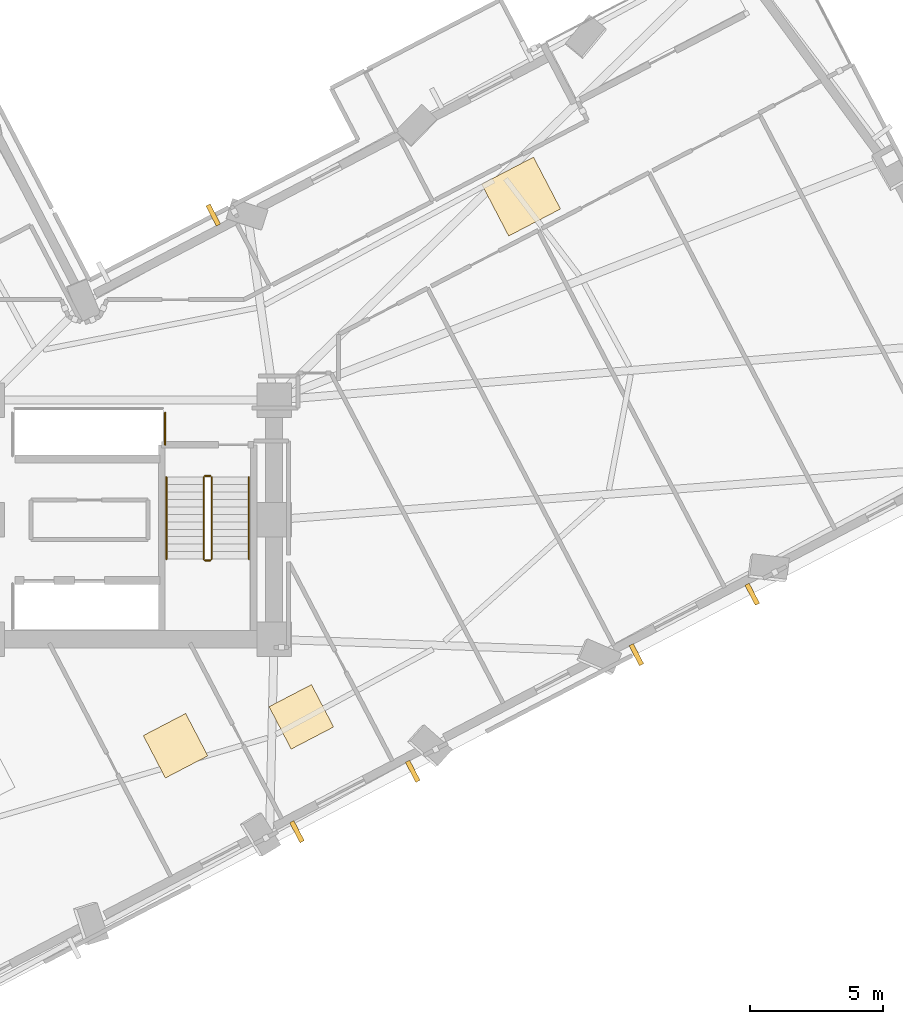
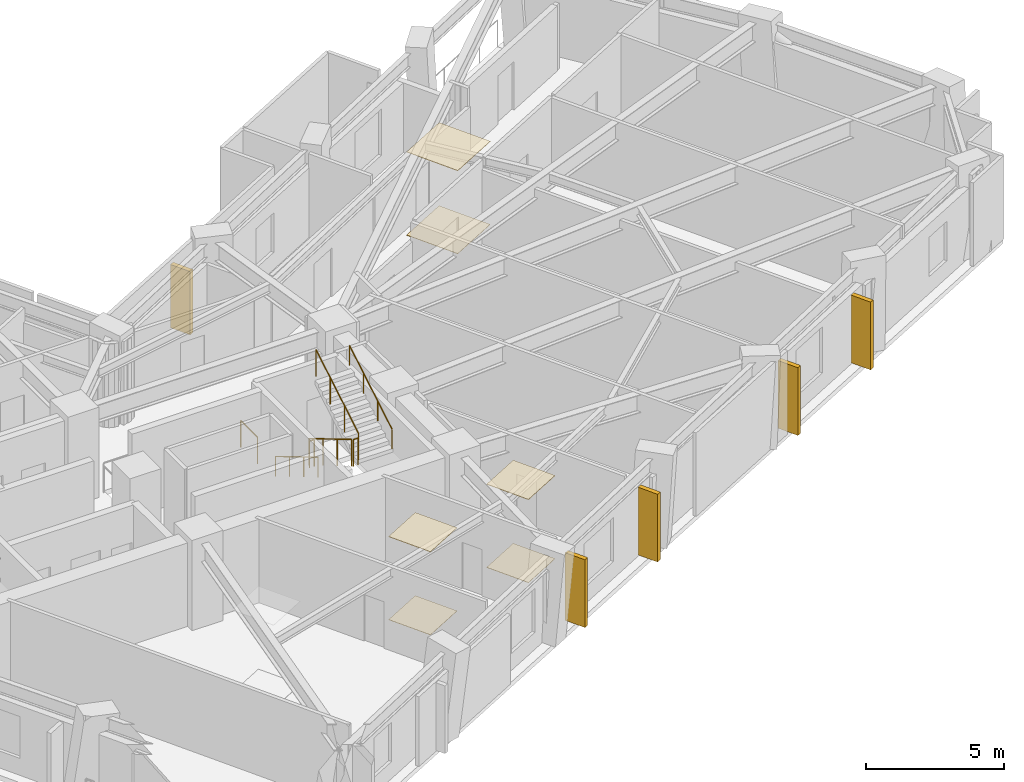
# One storey, part 14 of 16: 7 railings, 6 coverings, 5 shading devices.
"""IFC4 building model written with IfcOpenShell, lengths in metres."""

from ifc_helpers import new_model, si_unit, direction, frame, origin, origin_2d, place, context, subcontext, project, spatial, rectangle, circle, extrude, material, layer, layer_set, type_object, element, save


model = new_model("IFC4")

# Units and contexts
model_context = context("Model", 3, precision=1e-05, world=origin(), true_north=direction((0.0, 1.0)))
body_context = subcontext(model_context, "Body", "Model", "MODEL_VIEW")
ifc_project = project(units=[si_unit("LENGTHUNIT", "METRE"), si_unit("AREAUNIT", "SQUARE_METRE"), si_unit("VOLUMEUNIT", "CUBIC_METRE"), si_unit("PLANEANGLEUNIT", "RADIAN"), si_unit("MASSUNIT", "GRAM", prefix="KILO")], contexts=[model_context])

# Site, building, storey
site_placement = place(None, origin())
site = spatial("IfcSite", under=ifc_project, at=site_placement, CompositionType="ELEMENT")
building_placement = place(site_placement, origin())
building = spatial("IfcBuilding", under=site, at=building_placement, Name="Gaonmaruhae Medical Tower", CompositionType="ELEMENT")
storey_placement = place(building_placement, frame((0.0, 0.0, 140.39990234375)))
storey = spatial("IfcBuildingStorey", under=building, at=storey_placement, Name="L33", CompositionType="ELEMENT", Elevation=140.39990234375)

# Coverings
ifc_material_1 = material(Name="Acoustic mineral ceiling tile", Category="finish")
ifc_layer_1 = layer(ifc_material_1, 0.02490234375)
ifc_layer_set_1 = layer_set([ifc_layer_1], Name="Acoustic mineral ceiling tile")
covering_type_1 = type_object("IfcCoveringType", Name="CLG-01 Antimicrobial Acoustic Mineral Ceiling", PredefinedType="CEILING", material=ifc_layer_set_1)
covering_1_placement = place(storey_placement, frame((44.893798828125, 24.460205078125, 3.675048828125), z_axis=(0.0, 0.0, 1.0), x_axis=(0.8866075438, 0.462522500293, 0.0)))
element("IfcCovering", 1, at=covering_1_placement, inside=storey, type_object=covering_type_1, Name="L33 Clinical Corridor Acoustic Ceiling", PredefinedType="CEILING", context=body_context, shape_type="SweptSolid", body=[
    extrude(rectangle(XDim=2.199951171875, YDim=2.199951171875, at=origin_2d()), origin(), (0.0, 0.0, 1.0), 0.02490234375),
])
for number, where, z_axis, x_axis, name in (
    (2, (31.89111328125, 3.795654296875, 3.675048828125), (0.0, 0.0, 1.0), (0.8866075438, 0.462522500293, 0.0), "L33 Clinical Room Acoustic Ceiling 3"),
    (3, (36.625244140625, 4.882568359375, 3.675048828125), (0.0, 0.0, 1.0), (0.8866075438, 0.462522500293, 0.0), "L33 Clinical Room Acoustic Ceiling 4"),
):
    element("IfcCovering", number, at=place(storey_placement, frame(where, z_axis=z_axis, x_axis=x_axis)), inside=storey, type_object=covering_type_1, Name=name, PredefinedType="CEILING", context=body_context, shape_type="SweptSolid", body=[
        extrude(rectangle(XDim=1.800048828125, YDim=1.800048828125, at=origin_2d()), origin(), (0.0, 0.0, 1.0), 0.02490234375),
    ])
ifc_material_2 = material(Name="Seamless clinical vinyl flooring", Category="finish")
ifc_layer_2 = layer(ifc_material_2, 0.014892578125)
ifc_layer_set_2 = layer_set([ifc_layer_2], Name="Seamless clinical vinyl flooring")
covering_type_2 = type_object("IfcCoveringType", Name="FLR-01 Seamless Clinical Antistatic Vinyl Flooring", PredefinedType="FLOORING", material=ifc_layer_set_2)
covering_2_placement = place(storey_placement, frame((44.893798828125, 24.460205078125, 0.00048828125), z_axis=(0.0, 0.0, 1.0), x_axis=(0.8866075438, 0.462522500293, 0.0)))
element("IfcCovering", 4, at=covering_2_placement, inside=storey, type_object=covering_type_2, Name="L33 Clinical Corridor Vinyl Flooring", PredefinedType="FLOORING", context=body_context, shape_type="SweptSolid", body=[
    extrude(rectangle(XDim=2.199951171875, YDim=2.199951171875, at=origin_2d()), origin(), (0.0, 0.0, 1.0), 0.014892578125),
])
for number, where, z_axis, x_axis, name in (
    (5, (31.89111328125, 3.795654296875, 0.0), (0.0, 0.0, 1.0), (0.8866075438, 0.462522500293, 0.0), "L33 Clinical Room Vinyl Flooring 3"),
    (6, (36.625244140625, 4.882568359375, 0.0), (0.0, 0.0, 1.0), (0.8866075438, 0.462522500293, 0.0), "L33 Clinical Room Vinyl Flooring 4"),
):
    element("IfcCovering", number, at=place(storey_placement, frame(where, z_axis=z_axis, x_axis=x_axis)), inside=storey, type_object=covering_type_2, Name=name, PredefinedType="FLOORING", context=body_context, shape_type="SweptSolid", body=[
        extrude(rectangle(XDim=1.800048828125, YDim=1.800048828125, at=origin_2d()), origin(), (0.0, 0.0, 1.0), 0.014892578125),
    ])

# Railings
ifc_material_3 = material(Name="Stainless steel 304 handrail", Category="steel")
railing_type_1 = type_object("IfcRailingType", Name="HR-092 Continuous Stainless Steel Stair Handrail", PredefinedType="HANDRAIL", material=ifc_material_3)
railing_1_placement = place(storey_placement, frame((31.550048828125, 13.89990234375, 0.166748046875)))
element("IfcRailing", 7, at=railing_1_placement, inside=storey, type_object=railing_type_1, Name="L33 ST-02 stair handrail 1", PredefinedType="HANDRAIL", context=body_context, shape_type="SweptSolid", body=[
    extrude(circle(Radius=0.02392578125, at=origin_2d()), frame((0.0, 0.0, 0.8759765625), z_axis=(0.0, -0.859290745958, 0.51148745235), x_axis=(1.0, 0.0, 0.0)), (0.0, 0.0, 1.0), 3.584228515625),
    extrude(circle(Radius=0.02099609375, at=origin_2d()), origin(), (0.0, 0.0, 1.0), 0.851806640625),
    extrude(circle(Radius=0.02099609375, at=origin_2d()), frame((0.0, -1.026611328125, 0.611083984375)), (0.0, 0.0, 1.0), 0.851806640625),
    extrude(circle(Radius=0.02099609375, at=origin_2d()), frame((0.0, -2.05322265625, 1.22216796875)), (0.0, 0.0, 1.0), 0.851806640625),
    extrude(circle(Radius=0.02099609375, at=origin_2d()), frame((0.0, -3.079833984375, 1.833251953125)), (0.0, 0.0, 1.0), 0.851806640625),
])
railing_2_placement = place(storey_placement, frame((34.64990234375, 10.820068359375, 2.166748046875)))
element("IfcRailing", 8, at=railing_2_placement, inside=storey, type_object=railing_type_1, Name="L33 ST-02 stair handrail 2", PredefinedType="HANDRAIL", context=body_context, shape_type="SweptSolid", body=[
    extrude(circle(Radius=0.02392578125, at=origin_2d()), frame((0.0, 0.0, 0.8759765625), z_axis=(0.0, 0.859290745958, 0.51148745235), x_axis=(-1.0, 0.0, 0.0)), (0.0, 0.0, 1.0), 3.584228515625),
    extrude(circle(Radius=0.02099609375, at=origin_2d()), origin(), (0.0, 0.0, 1.0), 0.851806640625),
    extrude(circle(Radius=0.02099609375, at=origin_2d()), frame((0.0, 1.026611328125, 0.611083984375)), (0.0, 0.0, 1.0), 0.851806640625),
    extrude(circle(Radius=0.02099609375, at=origin_2d()), frame((0.0, 2.05322265625, 1.22216796875)), (0.0, 0.0, 1.0), 0.851806640625),
    extrude(circle(Radius=0.02099609375, at=origin_2d()), frame((0.0, 3.079833984375, 1.833251953125)), (0.0, 0.0, 1.0), 0.851806640625),
])

# Shading devices
ifc_material_4 = material(Name="Pigmented coral precast concrete C45/55", Category="concrete")
shading_device_type = type_object("IfcShadingDeviceType", Name="SD-FIN1 Tower Vertical Coral Precast Shading Fin", PredefinedType="USERDEFINED", material=ifc_material_4)
for number, where, z_axis, x_axis, name in (
    (9, (40.81787109375, 2.83251953125, 0.04248046875), (0.0, 0.0, 1.0), (-0.8866075438, -0.462522500293, 0.0), "L33 Vertical Coral Precast Shading Fin S03"),
    (10, (36.460693359375, 0.5595703125, 0.04248046875), (0.0, 0.0, 1.0), (-0.8866075438, -0.462522500293, 0.0), "L33 Vertical Coral Precast Shading Fin S03B"),
    (11, (53.59228515625, 9.49658203125, 0.04248046875), (0.0, 0.0, 1.0), (-0.8866075438, -0.462522500293, 0.0), "L33 Vertical Coral Precast Shading Fin S05"),
    (12, (49.231689453125, 7.2216796875, 0.04248046875), (0.0, 0.0, 1.0), (-0.8866075438, -0.462522500293, 0.0), "L33 Vertical Coral Precast Shading Fin S05B"),
):
    element("IfcShadingDevice", number, at=place(storey_placement, frame(where, z_axis=z_axis, x_axis=x_axis)), inside=storey, type_object=shading_device_type, Name=name, ObjectType="FIN", PredefinedType="USERDEFINED", context=body_context, shape_type="SweptSolid", body=[
        extrude(rectangle(XDim=0.179931640625, YDim=0.85009765625, at=origin_2d()), origin(), (0.0, 0.0, 1.0), 3.0),
    ])
shading_device_placement = place(storey_placement, frame((33.311279296875, 23.763916015625, 0.0400390625), z_axis=(0.0, 0.0, 1.0), x_axis=(0.8866075438, 0.462522500293, 0.0)))
element("IfcShadingDevice", 13, at=shading_device_placement, inside=storey, type_object=shading_device_type, Name="L33 Vertical Coral Precast Shading Fin EN03B", ObjectType="FIN", PredefinedType="USERDEFINED", context=body_context, shape_type="SweptSolid", body=[
    extrude(rectangle(XDim=0.179931640625, YDim=0.85009765625, at=origin_2d()), origin(), (0.0, 0.0, 1.0), 2.804931640625),
])

# Railings
ifc_material_5 = material(Name="Stainless steel 304 balustrade", Category="steel")
railing_type_2 = type_object("IfcRailingType", Name="SG-112 Stair Well & Ramp Void Safety Balustrade", PredefinedType="BALUSTRADE", material=ifc_material_5)
railing_3_placement = place(storey_placement, frame((32.949951171875, 13.89990234375, 0.166748046875)))
element("IfcRailing", 14, at=railing_3_placement, inside=storey, type_object=railing_type_2, Name="L33 ST-02 stair guard 1", PredefinedType="BALUSTRADE", context=body_context, shape_type="SweptSolid", body=[
    extrude(circle(Radius=0.02392578125, at=origin_2d()), frame((0.0, 0.0, 1.17578125), z_axis=(0.0, -0.859290745958, 0.51148745235), x_axis=(1.0, 0.0, 0.0)), (0.0, 0.0, 1.0), 3.584228515625),
    extrude(circle(Radius=0.02099609375, at=origin_2d()), origin(), (0.0, 0.0, 1.0), 1.15185546875),
    extrude(circle(Radius=0.02099609375, at=origin_2d()), frame((0.0, -1.026611328125, 0.611083984375)), (0.0, 0.0, 1.0), 1.15185546875),
    extrude(circle(Radius=0.02099609375, at=origin_2d()), frame((0.0, -2.05322265625, 1.22216796875)), (0.0, 0.0, 1.0), 1.15185546875),
    extrude(circle(Radius=0.02099609375, at=origin_2d()), frame((0.0, -3.079833984375, 1.833251953125)), (0.0, 0.0, 1.0), 1.15185546875),
])
railing_4_placement = place(storey_placement, frame((33.0, 10.77001953125, 2.0)))
element("IfcRailing", 15, at=railing_4_placement, inside=storey, type_object=railing_type_2, Name="L33 ST-02 stair guard 2", PredefinedType="BALUSTRADE", context=body_context, shape_type="SweptSolid", body=[
    extrude(circle(Radius=0.02392578125, at=origin_2d()), frame((0.0, 0.0, 1.17578125), z_axis=(1.0, 0.0, 0.0), x_axis=(0.0, 1.0, 0.0)), (0.0, 0.0, 1.0), 0.199951171875),
    extrude(circle(Radius=0.02099609375, at=origin_2d()), origin(), (0.0, 0.0, 1.0), 1.15185546875),
    extrude(circle(Radius=0.02099609375, at=origin_2d()), frame((0.199951171875, 0.0, 0.0)), (0.0, 0.0, 1.0), 1.15185546875),
])
railing_5_placement = place(storey_placement, frame((33.25, 10.820068359375, 2.166748046875)))
element("IfcRailing", 16, at=railing_5_placement, inside=storey, type_object=railing_type_2, Name="L33 ST-02 stair guard 3", PredefinedType="BALUSTRADE", context=body_context, shape_type="SweptSolid", body=[
    extrude(circle(Radius=0.02392578125, at=origin_2d()), frame((0.0, 0.0, 1.17578125), z_axis=(0.0, 0.859290745958, 0.51148745235), x_axis=(-1.0, 0.0, 0.0)), (0.0, 0.0, 1.0), 3.584228515625),
    extrude(circle(Radius=0.02099609375, at=origin_2d()), origin(), (0.0, 0.0, 1.0), 1.15185546875),
    extrude(circle(Radius=0.02099609375, at=origin_2d()), frame((0.0, 1.026611328125, 0.611083984375)), (0.0, 0.0, 1.0), 1.15185546875),
    extrude(circle(Radius=0.02099609375, at=origin_2d()), frame((0.0, 2.05322265625, 1.22216796875)), (0.0, 0.0, 1.0), 1.15185546875),
    extrude(circle(Radius=0.02099609375, at=origin_2d()), frame((0.0, 3.079833984375, 1.833251953125)), (0.0, 0.0, 1.0), 1.15185546875),
])
railing_6_placement = place(storey_placement, frame((33.0, 13.949951171875, 0.0)))
element("IfcRailing", 17, at=railing_6_placement, inside=storey, type_object=railing_type_2, Name="L33 ST-02 stair guard 4", PredefinedType="BALUSTRADE", context=body_context, shape_type="SweptSolid", body=[
    extrude(circle(Radius=0.02392578125, at=origin_2d()), frame((0.0, 0.0, 1.17578125), z_axis=(1.0, 0.0, 0.0), x_axis=(0.0, 1.0, 0.0)), (0.0, 0.0, 1.0), 0.199951171875),
    extrude(circle(Radius=0.02099609375, at=origin_2d()), origin(), (0.0, 0.0, 1.0), 1.15185546875),
    extrude(circle(Radius=0.02099609375, at=origin_2d()), frame((0.199951171875, 0.0, 0.0)), (0.0, 0.0, 1.0), 1.15185546875),
])
railing_7_placement = place(storey_placement, frame((31.4951171875, 16.330078125, 0.0)))
element("IfcRailing", 18, at=railing_7_placement, inside=storey, type_object=railing_type_2, Name="L33 Shaft Edge Safety Guard 17", PredefinedType="BALUSTRADE", context=body_context, shape_type="SweptSolid", body=[
    extrude(circle(Radius=0.02392578125, at=origin_2d()), frame((0.0, 0.0, 1.17578125), z_axis=(0.0, -1.0, 0.0), x_axis=(1.0, 0.0, 0.0)), (0.0, 0.0, 1.0), 1.2099609375),
    extrude(circle(Radius=0.02099609375, at=origin_2d()), origin(), (0.0, 0.0, 1.0), 1.15185546875),
    extrude(circle(Radius=0.02099609375, at=origin_2d()), frame((0.0, -1.2099609375, 0.0)), (0.0, 0.0, 1.0), 1.15185546875),
])

save(model, "model.ifc")
